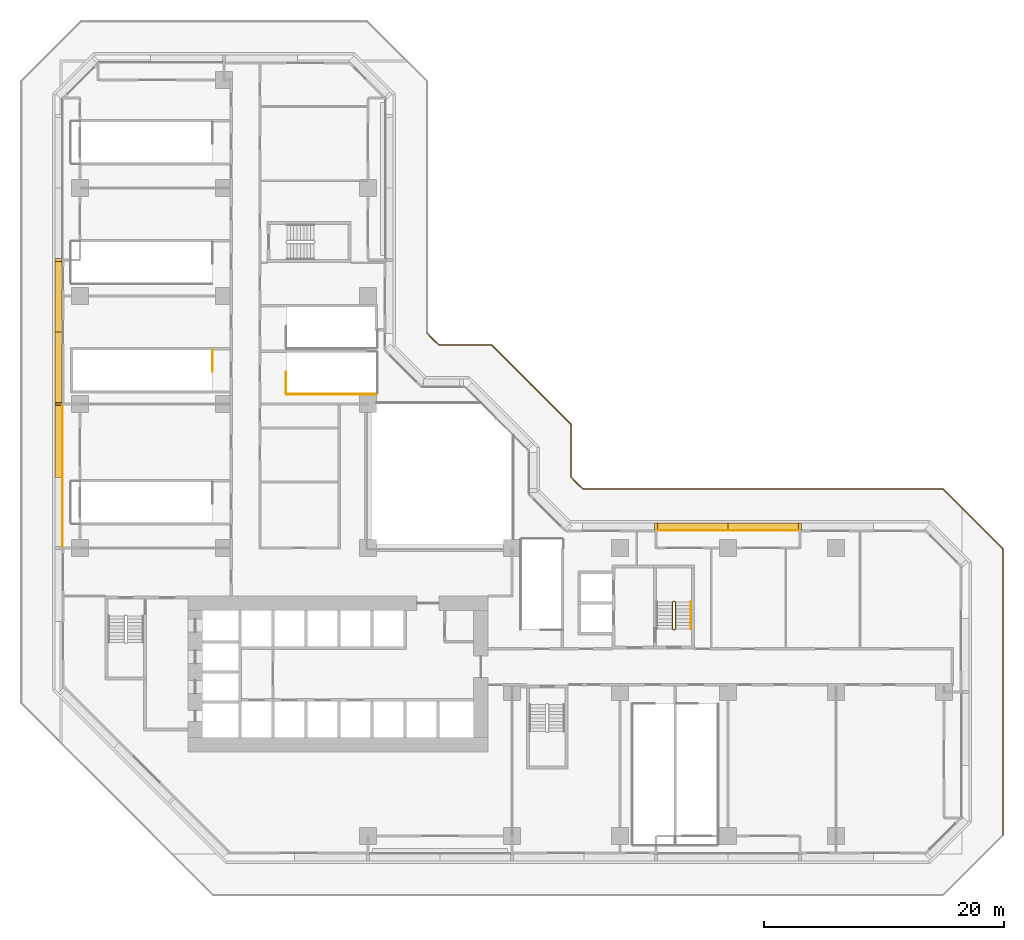
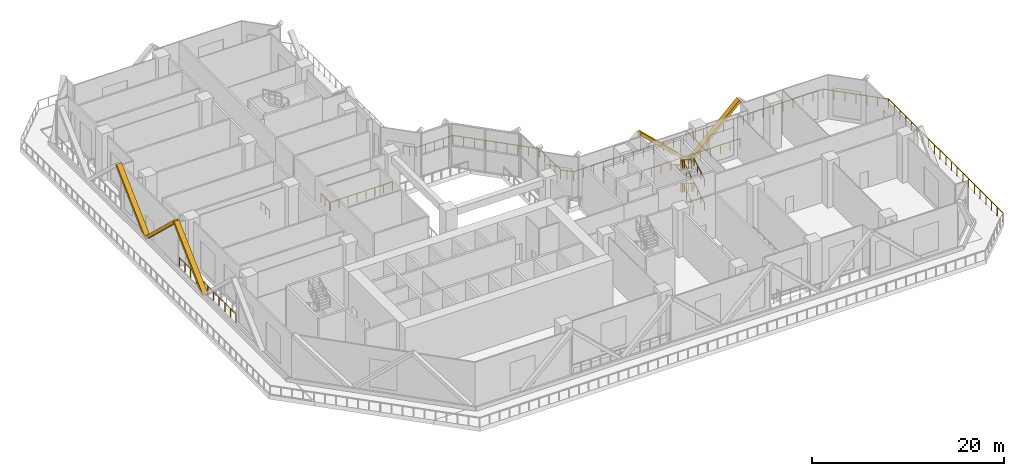
# One storey, part 13 of 16: 9 railings, 5 coverings.
"""IFC4 building model written with IfcOpenShell, lengths in metres."""

from ifc_helpers import new_model, si_unit, direction, frame, origin, origin_2d, place, context, subcontext, project, spatial, rectangle, extrude, material, material_profile, profile_set, type_object, element, save


model = new_model("IFC4")

# Units and contexts
model_context = context("Model", 3, precision=1e-05, world=origin(), true_north=direction((0.0, 1.0)))
body_context = subcontext(model_context, "Body", "Model", "MODEL_VIEW")
ifc_project = project(units=[si_unit("LENGTHUNIT", "METRE"), si_unit("AREAUNIT", "SQUARE_METRE"), si_unit("VOLUMEUNIT", "CUBIC_METRE"), si_unit("PLANEANGLEUNIT", "RADIAN"), si_unit("MASSUNIT", "GRAM", prefix="KILO")], contexts=[model_context])

# Site, building, storey
site_placement = place(None, origin())
site = spatial("IfcSite", under=ifc_project, at=site_placement, CompositionType="ELEMENT")
building_placement = place(site_placement, origin())
building = spatial("IfcBuilding", under=site, at=building_placement, Name="Chenar Terraces", CompositionType="ELEMENT")
storey_placement = place(building_placement, frame((0.0, 0.0, 35.39990234375)))
storey = spatial("IfcBuildingStorey", under=building, at=storey_placement, Name="L06", CompositionType="ELEMENT", Elevation=35.39990234375)

# Railings
ifc_material_1 = material(Name="Stainless steel and glass", Category="steel")
railing_type_1 = type_object("IfcRailingType", Name="Loggia guard 1150", PredefinedType="GUARDRAIL", material=ifc_material_1)
railing_1_placement = place(storey_placement, frame((59.925048828125, 25.449951171875, 0.0)))
element("IfcRailing", 1, at=railing_1_placement, inside=storey, type_object=railing_type_1, Name="Loggia guard", PredefinedType="GUARDRAIL", context=body_context, shape_type="SweptSolid", body=[
    extrude(rectangle(XDim=0.048095703125, YDim=0.048095703125, at=origin_2d()), frame((0.0, 0.0, 1.1259765625), z_axis=(-1.0, 0.0, 0.0), x_axis=(0.0, -1.0, 0.0)), (0.0, 0.0, 1.0), 11.85009765625),
    extrude(rectangle(XDim=0.0419921875, YDim=0.0419921875, at=origin_2d()), origin(), (0.0, 0.0, 1.0), 1.101806640625),
    extrude(rectangle(XDim=0.0419921875, YDim=0.0419921875, at=origin_2d()), frame((-1.18505859375, 0.0, 0.0)), (0.0, 0.0, 1.0), 1.101806640625),
    extrude(rectangle(XDim=0.0419921875, YDim=0.0419921875, at=origin_2d()), frame((-2.3701171875, 0.0, 0.0)), (0.0, 0.0, 1.0), 1.101806640625),
    extrude(rectangle(XDim=0.0419921875, YDim=0.0419921875, at=origin_2d()), frame((-3.554931640625, 0.0, 0.0)), (0.0, 0.0, 1.0), 1.101806640625),
    extrude(rectangle(XDim=0.0419921875, YDim=0.0419921875, at=origin_2d()), frame((-4.739990234375, 0.0, 0.0)), (0.0, 0.0, 1.0), 1.101806640625),
    extrude(rectangle(XDim=0.0419921875, YDim=0.0419921875, at=origin_2d()), frame((-5.925048828125, 0.0, 0.0)), (0.0, 0.0, 1.0), 1.101806640625),
    extrude(rectangle(XDim=0.0419921875, YDim=0.0419921875, at=origin_2d()), frame((-7.110107421875, 0.0, 0.0)), (0.0, 0.0, 1.0), 1.101806640625),
    extrude(rectangle(XDim=0.0419921875, YDim=0.0419921875, at=origin_2d()), frame((-8.295166015625, 0.0, 0.0)), (0.0, 0.0, 1.0), 1.101806640625),
    extrude(rectangle(XDim=0.0419921875, YDim=0.0419921875, at=origin_2d()), frame((-9.47998046875, 0.0, 0.0)), (0.0, 0.0, 1.0), 1.101806640625),
    extrude(rectangle(XDim=0.0419921875, YDim=0.0419921875, at=origin_2d()), frame((-10.6650390625, 0.0, 0.0)), (0.0, 0.0, 1.0), 1.101806640625),
    extrude(rectangle(XDim=0.0419921875, YDim=0.0419921875, at=origin_2d()), frame((-11.85009765625, 0.0, 0.0)), (0.0, 0.0, 1.0), 1.101806640625),
])
railing_2_placement = place(storey_placement, frame((-1.449951171875, 35.925048828125, 0.0)))
element("IfcRailing", 2, at=railing_2_placement, inside=storey, type_object=railing_type_1, Name="Loggia guard", PredefinedType="GUARDRAIL", context=body_context, shape_type="SweptSolid", body=[
    extrude(rectangle(XDim=0.048095703125, YDim=0.048095703125, at=origin_2d()), frame((0.0, 0.0, 1.1259765625), z_axis=(0.0, -1.0, 0.0), x_axis=(1.0, 0.0, 0.0)), (0.0, 0.0, 1.0), 11.85009765625),
    extrude(rectangle(XDim=0.0419921875, YDim=0.0419921875, at=origin_2d()), origin(), (0.0, 0.0, 1.0), 1.101806640625),
    extrude(rectangle(XDim=0.0419921875, YDim=0.0419921875, at=origin_2d()), frame((0.0, -1.18505859375, 0.0)), (0.0, 0.0, 1.0), 1.101806640625),
    extrude(rectangle(XDim=0.0419921875, YDim=0.0419921875, at=origin_2d()), frame((0.0, -2.3701171875, 0.0)), (0.0, 0.0, 1.0), 1.101806640625),
    extrude(rectangle(XDim=0.0419921875, YDim=0.0419921875, at=origin_2d()), frame((0.0, -3.554931640625, 0.0)), (0.0, 0.0, 1.0), 1.101806640625),
    extrude(rectangle(XDim=0.0419921875, YDim=0.0419921875, at=origin_2d()), frame((0.0, -4.739990234375, 0.0)), (0.0, 0.0, 1.0), 1.101806640625),
    extrude(rectangle(XDim=0.0419921875, YDim=0.0419921875, at=origin_2d()), frame((0.0, -5.925048828125, 0.0)), (0.0, 0.0, 1.0), 1.101806640625),
    extrude(rectangle(XDim=0.0419921875, YDim=0.0419921875, at=origin_2d()), frame((0.0, -7.110107421875, 0.0)), (0.0, 0.0, 1.0), 1.101806640625),
    extrude(rectangle(XDim=0.0419921875, YDim=0.0419921875, at=origin_2d()), frame((0.0, -8.295166015625, 0.0)), (0.0, 0.0, 1.0), 1.101806640625),
    extrude(rectangle(XDim=0.0419921875, YDim=0.0419921875, at=origin_2d()), frame((0.0, -9.47998046875, 0.0)), (0.0, 0.0, 1.0), 1.101806640625),
    extrude(rectangle(XDim=0.0419921875, YDim=0.0419921875, at=origin_2d()), frame((0.0, -10.6650390625, 0.0)), (0.0, 0.0, 1.0), 1.101806640625),
    extrude(rectangle(XDim=0.0419921875, YDim=0.0419921875, at=origin_2d()), frame((0.0, -11.85009765625, 0.0)), (0.0, 0.0, 1.0), 1.101806640625),
])
ifc_material_2 = material(Name="Powder-coated steel", Category="steel")
railing_type_2 = type_object("IfcRailingType", Name="Stair guard 1100", PredefinedType="GUARDRAIL", material=ifc_material_2)
railing_3_placement = place(storey_placement, frame((49.375, 17.25, 6.0)))
element("IfcRailing", 3, at=railing_3_placement, inside=storey, type_object=railing_type_2, Name="L06 ST3 stair guard 1", PredefinedType="GUARDRAIL", context=body_context, shape_type="SweptSolid", body=[
    extrude(rectangle(XDim=0.048095703125, YDim=0.048095703125, at=origin_2d()), frame((0.0, 0.0, 1.076171875), z_axis=(0.0, 0.859305625298, -0.511462454469), x_axis=(-1.0, 0.0, 0.0)), (0.0, 0.0, 1.0), 2.606689453125),
    extrude(rectangle(XDim=0.048095703125, YDim=0.048095703125, at=origin_2d()), frame((0.0, 2.239990234375, -0.25732421875), z_axis=(0.27628659633, 0.27628659633, -0.920506074601), x_axis=(-0.707106781187, 0.707106781187, 0.0)), (0.0, 0.0, 1.0), 0.18115234375),
    extrude(rectangle(XDim=0.048095703125, YDim=0.048095703125, at=origin_2d()), frame((0.050048828125, 2.2900390625, -0.423828125), z_axis=(1.0, 0.0, 0.0), x_axis=(0.0, 1.0, 0.0)), (0.0, 0.0, 1.0), 0.14990234375),
    extrude(rectangle(XDim=0.048095703125, YDim=0.048095703125, at=origin_2d()), frame((0.199951171875, 2.2900390625, -0.423828125), z_axis=(0.707106781187, -0.707106781187, 0.0), x_axis=(0.707106781187, 0.707106781187, 0.0)), (0.0, 0.0, 1.0), 0.07080078125),
    extrude(rectangle(XDim=0.048095703125, YDim=0.048095703125, at=origin_2d()), frame((0.25, 2.239990234375, -0.423828125), z_axis=(0.0, -0.859305625298, -0.511462454469), x_axis=(1.0, 0.0, 0.0)), (0.0, 0.0, 1.0), 2.606689453125),
    extrude(rectangle(XDim=0.048095703125, YDim=0.048095703125, at=origin_2d()), frame((0.25, 0.0, -1.75732421875), z_axis=(-0.754182335027, -0.188775798145, -0.628945707965), x_axis=(0.242814311512, -0.970072785993, 0.0)), (0.0, 0.0, 1.0), 0.26513671875),
    extrude(rectangle(XDim=0.048095703125, YDim=0.048095703125, at=origin_2d()), frame((0.050048828125, -0.050048828125, -1.923828125), z_axis=(1.0, 0.0, 0.0), x_axis=(0.0, 1.0, 0.0)), (0.0, 0.0, 1.0), 0.14990234375),
    extrude(rectangle(XDim=0.048095703125, YDim=0.048095703125, at=origin_2d()), frame((0.199951171875, -0.050048828125, -1.923828125), z_axis=(-0.970072785993, 0.242814311512, 0.0), x_axis=(-0.242814311512, -0.970072785993, 0.0)), (0.0, 0.0, 1.0), 0.2060546875),
    extrude(rectangle(XDim=0.048095703125, YDim=0.048095703125, at=origin_2d()), frame((0.0, 0.0, -1.923828125), z_axis=(0.0, 0.859305625298, -0.511462454469), x_axis=(-1.0, 0.0, 0.0)), (0.0, 0.0, 1.0), 2.606689453125),
    extrude(rectangle(XDim=0.048095703125, YDim=0.048095703125, at=origin_2d()), frame((0.0, 2.239990234375, -3.25732421875), z_axis=(0.27628659633, 0.27628659633, -0.920506074601), x_axis=(-0.707106781187, 0.707106781187, 0.0)), (0.0, 0.0, 1.0), 0.18115234375),
    extrude(rectangle(XDim=0.048095703125, YDim=0.048095703125, at=origin_2d()), frame((0.050048828125, 2.2900390625, -3.423828125), z_axis=(1.0, 0.0, 0.0), x_axis=(0.0, 1.0, 0.0)), (0.0, 0.0, 1.0), 0.14990234375),
    extrude(rectangle(XDim=0.048095703125, YDim=0.048095703125, at=origin_2d()), frame((0.199951171875, 2.2900390625, -3.423828125), z_axis=(0.707106781187, -0.707106781187, 0.0), x_axis=(0.707106781187, 0.707106781187, 0.0)), (0.0, 0.0, 1.0), 0.07080078125),
    extrude(rectangle(XDim=0.048095703125, YDim=0.048095703125, at=origin_2d()), frame((0.25, 2.239990234375, -3.423828125), z_axis=(0.0, -0.859305625298, -0.511462454469), x_axis=(1.0, 0.0, 0.0)), (0.0, 0.0, 1.0), 2.606689453125),
    extrude(rectangle(XDim=0.048095703125, YDim=0.048095703125, at=origin_2d()), frame((0.25, 0.0, -4.75732421875), z_axis=(-0.27628659633, -0.27628659633, -0.920506074601), x_axis=(0.707106781187, -0.707106781187, 0.0)), (0.0, 0.0, 1.0), 0.18115234375),
    extrude(rectangle(XDim=0.048095703125, YDim=0.048095703125, at=origin_2d()), frame((0.199951171875, -0.050048828125, -4.923828125), z_axis=(-1.0, 0.0, 0.0), x_axis=(0.0, -1.0, 0.0)), (0.0, 0.0, 1.0), 0.14990234375),
    extrude(rectangle(XDim=0.0419921875, YDim=0.0419921875, at=origin_2d()), origin(), (0.0, 0.0, 1.0), 1.052001953125),
    extrude(rectangle(XDim=0.0419921875, YDim=0.0419921875, at=origin_2d()), frame((0.0, 0.74658203125, -0.4443359375)), (0.0, 0.0, 1.0), 1.052001953125),
    extrude(rectangle(XDim=0.0419921875, YDim=0.0419921875, at=origin_2d()), frame((0.0, 1.493408203125, -0.888916015625)), (0.0, 0.0, 1.0), 1.052001953125),
    extrude(rectangle(XDim=0.0419921875, YDim=0.0419921875, at=origin_2d()), frame((0.0, 2.239990234375, -1.333251953125)), (0.0, 0.0, 1.0), 1.052001953125),
    extrude(rectangle(XDim=0.0419921875, YDim=0.0419921875, at=origin_2d()), frame((0.050048828125, 2.2900390625, -1.5)), (0.0, 0.0, 1.0), 1.052001953125),
    extrude(rectangle(XDim=0.0419921875, YDim=0.0419921875, at=origin_2d()), frame((0.199951171875, 2.2900390625, -1.5)), (0.0, 0.0, 1.0), 1.052001953125),
    extrude(rectangle(XDim=0.0419921875, YDim=0.0419921875, at=origin_2d()), frame((0.25, 2.239990234375, -1.5)), (0.0, 0.0, 1.0), 1.052001953125),
    extrude(rectangle(XDim=0.0419921875, YDim=0.0419921875, at=origin_2d()), frame((0.25, 1.493408203125, -1.9443359375)), (0.0, 0.0, 1.0), 1.052001953125),
    extrude(rectangle(XDim=0.0419921875, YDim=0.0419921875, at=origin_2d()), frame((0.25, 0.74658203125, -2.388916015625)), (0.0, 0.0, 1.0), 1.052001953125),
    extrude(rectangle(XDim=0.0419921875, YDim=0.0419921875, at=origin_2d()), frame((0.25, 0.0, -2.833251953125)), (0.0, 0.0, 1.0), 1.052001953125),
    extrude(rectangle(XDim=0.0419921875, YDim=0.0419921875, at=origin_2d()), frame((0.050048828125, -0.050048828125, -3.0)), (0.0, 0.0, 1.0), 1.052001953125),
    extrude(rectangle(XDim=0.0419921875, YDim=0.0419921875, at=origin_2d()), frame((0.199951171875, -0.050048828125, -3.0)), (0.0, 0.0, 1.0), 1.052001953125),
    extrude(rectangle(XDim=0.0419921875, YDim=0.0419921875, at=origin_2d()), frame((0.0, 0.0, -3.0)), (0.0, 0.0, 1.0), 1.052001953125),
    extrude(rectangle(XDim=0.0419921875, YDim=0.0419921875, at=origin_2d()), frame((0.0, 0.74658203125, -3.4443359375)), (0.0, 0.0, 1.0), 1.052001953125),
    extrude(rectangle(XDim=0.0419921875, YDim=0.0419921875, at=origin_2d()), frame((0.0, 1.493408203125, -3.888916015625)), (0.0, 0.0, 1.0), 1.052001953125),
    extrude(rectangle(XDim=0.0419921875, YDim=0.0419921875, at=origin_2d()), frame((0.0, 2.239990234375, -4.333251953125)), (0.0, 0.0, 1.0), 1.052001953125),
    extrude(rectangle(XDim=0.0419921875, YDim=0.0419921875, at=origin_2d()), frame((0.050048828125, 2.2900390625, -4.5)), (0.0, 0.0, 1.0), 1.052001953125),
    extrude(rectangle(XDim=0.0419921875, YDim=0.0419921875, at=origin_2d()), frame((0.199951171875, 2.2900390625, -4.5)), (0.0, 0.0, 1.0), 1.052001953125),
    extrude(rectangle(XDim=0.0419921875, YDim=0.0419921875, at=origin_2d()), frame((0.25, 2.239990234375, -4.5)), (0.0, 0.0, 1.0), 1.052001953125),
    extrude(rectangle(XDim=0.0419921875, YDim=0.0419921875, at=origin_2d()), frame((0.25, 1.493408203125, -4.9443359375)), (0.0, 0.0, 1.0), 1.052001953125),
    extrude(rectangle(XDim=0.0419921875, YDim=0.0419921875, at=origin_2d()), frame((0.25, 0.74658203125, -5.388916015625)), (0.0, 0.0, 1.0), 1.052001953125),
    extrude(rectangle(XDim=0.0419921875, YDim=0.0419921875, at=origin_2d()), frame((0.25, 0.0, -5.833251953125)), (0.0, 0.0, 1.0), 1.052001953125),
    extrude(rectangle(XDim=0.0419921875, YDim=0.0419921875, at=origin_2d()), frame((0.199951171875, -0.050048828125, -6.0)), (0.0, 0.0, 1.0), 1.052001953125),
    extrude(rectangle(XDim=0.0419921875, YDim=0.0419921875, at=origin_2d()), frame((0.050048828125, -0.050048828125, -6.0)), (0.0, 0.0, 1.0), 1.052001953125),
])
railing_4_placement = place(storey_placement, frame((17.1650390625, 38.675048828125, 0.0)))
element("IfcRailing", 4, at=railing_4_placement, inside=storey, type_object=railing_type_2, Name="L06 PS7 top well guard 1", PredefinedType="GUARDRAIL", context=body_context, shape_type="SweptSolid", body=[
    extrude(rectangle(XDim=0.048095703125, YDim=0.048095703125, at=origin_2d()), frame((0.0, 0.0, 1.076171875), z_axis=(0.0, -1.0, 0.0), x_axis=(1.0, 0.0, 0.0)), (0.0, 0.0, 1.0), 1.76513671875),
    extrude(rectangle(XDim=0.0419921875, YDim=0.0419921875, at=origin_2d()), origin(), (0.0, 0.0, 1.0), 1.052001953125),
    extrude(rectangle(XDim=0.0419921875, YDim=0.0419921875, at=origin_2d()), frame((0.0, -0.882568359375, 0.0)), (0.0, 0.0, 1.0), 1.052001953125),
    extrude(rectangle(XDim=0.0419921875, YDim=0.0419921875, at=origin_2d()), frame((0.0, -1.76513671875, 0.0)), (0.0, 0.0, 1.0), 1.052001953125),
])
railing_5_placement = place(storey_placement, frame((11.034912109375, 38.72509765625, 0.0)))
element("IfcRailing", 5, at=railing_5_placement, inside=storey, type_object=railing_type_2, Name="L06 PS9 top well guard 1", PredefinedType="GUARDRAIL", context=body_context, shape_type="SweptSolid", body=[
    extrude(rectangle(XDim=0.048095703125, YDim=0.048095703125, at=origin_2d()), frame((0.0, 0.0, 1.076171875), z_axis=(0.0, 1.0, 0.0), x_axis=(-1.0, 0.0, 0.0)), (0.0, 0.0, 1.0), 1.764892578125),
    extrude(rectangle(XDim=0.0419921875, YDim=0.0419921875, at=origin_2d()), origin(), (0.0, 0.0, 1.0), 1.052001953125),
    extrude(rectangle(XDim=0.0419921875, YDim=0.0419921875, at=origin_2d()), frame((0.0, 0.88232421875, 0.0)), (0.0, 0.0, 1.0), 1.052001953125),
    extrude(rectangle(XDim=0.0419921875, YDim=0.0419921875, at=origin_2d()), frame((0.0, 1.764892578125, 0.0)), (0.0, 0.0, 1.0), 1.052001953125),
])
railing_6_placement = place(storey_placement, frame((17.215087890625, 36.81005859375, 0.0)))
element("IfcRailing", 6, at=railing_6_placement, inside=storey, type_object=railing_type_2, Name="L06 PS7 stair guard 101", PredefinedType="GUARDRAIL", context=body_context, shape_type="SweptSolid", body=[
    extrude(rectangle(XDim=0.048095703125, YDim=0.048095703125, at=origin_2d()), frame((0.0, 0.0, 1.076171875), z_axis=(1.0, 0.0, 0.0), x_axis=(0.0, 1.0, 0.0)), (0.0, 0.0, 1.0), 7.48486328125),
    extrude(rectangle(XDim=0.0419921875, YDim=0.0419921875, at=origin_2d()), origin(), (0.0, 0.0, 1.0), 1.052001953125),
    extrude(rectangle(XDim=0.0419921875, YDim=0.0419921875, at=origin_2d()), frame((1.0693359375, 0.0, 0.0)), (0.0, 0.0, 1.0), 1.052001953125),
    extrude(rectangle(XDim=0.0419921875, YDim=0.0419921875, at=origin_2d()), frame((2.138427734375, 0.0, 0.0)), (0.0, 0.0, 1.0), 1.052001953125),
    extrude(rectangle(XDim=0.0419921875, YDim=0.0419921875, at=origin_2d()), frame((3.207763671875, 0.0, 0.0)), (0.0, 0.0, 1.0), 1.052001953125),
    extrude(rectangle(XDim=0.0419921875, YDim=0.0419921875, at=origin_2d()), frame((4.277099609375, 0.0, 0.0)), (0.0, 0.0, 1.0), 1.052001953125),
    extrude(rectangle(XDim=0.0419921875, YDim=0.0419921875, at=origin_2d()), frame((5.346435546875, 0.0, 0.0)), (0.0, 0.0, 1.0), 1.052001953125),
    extrude(rectangle(XDim=0.0419921875, YDim=0.0419921875, at=origin_2d()), frame((6.41552734375, 0.0, 0.0)), (0.0, 0.0, 1.0), 1.052001953125),
    extrude(rectangle(XDim=0.0419921875, YDim=0.0419921875, at=origin_2d()), frame((7.48486328125, 0.0, 0.0)), (0.0, 0.0, 1.0), 1.052001953125),
])
ifc_material_3 = material(Name="Powder-coated steel", Category="steel")
railing_type_3 = type_object("IfcRailingType", Name="Stair handrail 900", PredefinedType="HANDRAIL", material=ifc_material_3)
for number, where, name in (
    (7, (50.925048828125, 17.25, 0.166748046875), "L06 ST3 stair handrail 1"),
    (8, (50.925048828125, 17.25, 3.166748046875), "L06 ST3 stair handrail 3"),
):
    element("IfcRailing", number, at=place(storey_placement, frame(where)), inside=storey, type_object=railing_type_3, Name=name, PredefinedType="HANDRAIL", context=body_context, shape_type="SweptSolid", body=[
        extrude(rectangle(XDim=0.048095703125, YDim=0.048095703125, at=origin_2d()), frame((0.0, 0.0, 0.8759765625), z_axis=(0.0, 0.859305625298, 0.511462454469), x_axis=(-1.0, 0.0, 0.0)), (0.0, 0.0, 1.0), 2.606689453125),
        extrude(rectangle(XDim=0.0419921875, YDim=0.0419921875, at=origin_2d()), origin(), (0.0, 0.0, 1.0), 0.851806640625),
        extrude(rectangle(XDim=0.0419921875, YDim=0.0419921875, at=origin_2d()), frame((0.0, 0.74658203125, 0.4443359375)), (0.0, 0.0, 1.0), 0.851806640625),
        extrude(rectangle(XDim=0.0419921875, YDim=0.0419921875, at=origin_2d()), frame((0.0, 1.493408203125, 0.888916015625)), (0.0, 0.0, 1.0), 0.851806640625),
        extrude(rectangle(XDim=0.0419921875, YDim=0.0419921875, at=origin_2d()), frame((0.0, 2.239990234375, 1.333251953125)), (0.0, 0.0, 1.0), 0.851806640625),
    ])
ifc_material_4 = material(Name="Stainless steel and glass", Category="steel")
railing_type_4 = type_object("IfcRailingType", Name="Terrace guard 1150", PredefinedType="GUARDRAIL", material=ifc_material_4)
railing_7_placement = place(storey_placement, frame((28.89990234375, 41.908447265625, 0.0)))
element("IfcRailing", 9, at=railing_7_placement, inside=storey, type_object=railing_type_4, Name="Terrace guard", PredefinedType="GUARDRAIL", context=body_context, shape_type="SweptSolid", body=[
    extrude(rectangle(XDim=0.048095703125, YDim=0.048095703125, at=origin_2d()), frame((0.0, 0.0, 1.1259765625), z_axis=(0.707106781187, -0.707106781187, 0.0), x_axis=(0.707106781187, 0.707106781187, 0.0)), (0.0, 0.0, 1.0), 1.42626953125),
    extrude(rectangle(XDim=0.048095703125, YDim=0.048095703125, at=origin_2d()), frame((1.008544921875, -1.008544921875, 1.1259765625), z_axis=(1.0, 0.0, 0.0), x_axis=(0.0, 1.0, 0.0)), (0.0, 0.0, 1.0), 4.39990234375),
    extrude(rectangle(XDim=0.048095703125, YDim=0.048095703125, at=origin_2d()), frame((5.408447265625, -1.008544921875, 1.1259765625), z_axis=(0.707106781187, -0.707106781187, 0.0), x_axis=(0.707106781187, 0.707106781187, 0.0)), (0.0, 0.0, 1.0), 9.32177734375),
    extrude(rectangle(XDim=0.048095703125, YDim=0.048095703125, at=origin_2d()), frame((12.0, -7.60009765625, 1.1259765625), z_axis=(0.0, -1.0, 0.0), x_axis=(1.0, 0.0, 0.0)), (0.0, 0.0, 1.0), 4.39990234375),
    extrude(rectangle(XDim=0.048095703125, YDim=0.048095703125, at=origin_2d()), frame((12.0, -12.0, 1.1259765625), z_axis=(0.707106781187, -0.707106781187, 0.0), x_axis=(0.707106781187, 0.707106781187, 0.0)), (0.0, 0.0, 1.0), 1.42626953125),
    extrude(rectangle(XDim=0.048095703125, YDim=0.048095703125, at=origin_2d()), frame((13.008544921875, -13.008544921875, 1.1259765625), z_axis=(1.0, 0.0, 0.0), x_axis=(0.0, 1.0, 0.0)), (0.0, 0.0, 1.0), 30.0),
    extrude(rectangle(XDim=0.048095703125, YDim=0.048095703125, at=origin_2d()), frame((43.008544921875, -13.008544921875, 1.1259765625), z_axis=(0.707106781187, -0.707106781187, 0.0), x_axis=(0.707106781187, 0.707106781187, 0.0)), (0.0, 0.0, 1.0), 7.05908203125),
    extrude(rectangle(XDim=0.048095703125, YDim=0.048095703125, at=origin_2d()), frame((48.0, -18.0, 1.1259765625), z_axis=(0.0, -1.0, 0.0), x_axis=(1.0, 0.0, 0.0)), (0.0, 0.0, 1.0), 23.81689453125),
    extrude(rectangle(XDim=0.0419921875, YDim=0.0419921875, at=origin_2d()), origin(), (0.0, 0.0, 1.0), 1.101806640625),
    extrude(rectangle(XDim=0.0419921875, YDim=0.0419921875, at=origin_2d()), frame((0.50439453125, -0.50439453125, 0.0)), (0.0, 0.0, 1.0), 1.101806640625),
    extrude(rectangle(XDim=0.0419921875, YDim=0.0419921875, at=origin_2d()), frame((1.008544921875, -1.008544921875, 0.0)), (0.0, 0.0, 1.0), 1.101806640625),
    extrude(rectangle(XDim=0.0419921875, YDim=0.0419921875, at=origin_2d()), frame((2.1083984375, -1.008544921875, 0.0)), (0.0, 0.0, 1.0), 1.101806640625),
    extrude(rectangle(XDim=0.0419921875, YDim=0.0419921875, at=origin_2d()), frame((3.20849609375, -1.008544921875, 0.0)), (0.0, 0.0, 1.0), 1.101806640625),
    extrude(rectangle(XDim=0.0419921875, YDim=0.0419921875, at=origin_2d()), frame((4.30859375, -1.008544921875, 0.0)), (0.0, 0.0, 1.0), 1.101806640625),
    extrude(rectangle(XDim=0.0419921875, YDim=0.0419921875, at=origin_2d()), frame((5.408447265625, -1.008544921875, 0.0)), (0.0, 0.0, 1.0), 1.101806640625),
    extrude(rectangle(XDim=0.0419921875, YDim=0.0419921875, at=origin_2d()), frame((6.232421875, -1.83251953125, 0.0)), (0.0, 0.0, 1.0), 1.101806640625),
    extrude(rectangle(XDim=0.0419921875, YDim=0.0419921875, at=origin_2d()), frame((7.056396484375, -2.656494140625, 0.0)), (0.0, 0.0, 1.0), 1.101806640625),
    extrude(rectangle(XDim=0.0419921875, YDim=0.0419921875, at=origin_2d()), frame((7.88037109375, -3.48046875, 0.0)), (0.0, 0.0, 1.0), 1.101806640625),
    extrude(rectangle(XDim=0.0419921875, YDim=0.0419921875, at=origin_2d()), frame((8.7041015625, -4.30419921875, 0.0)), (0.0, 0.0, 1.0), 1.101806640625),
    extrude(rectangle(XDim=0.0419921875, YDim=0.0419921875, at=origin_2d()), frame((9.528076171875, -5.128173828125, 0.0)), (0.0, 0.0, 1.0), 1.101806640625),
    extrude(rectangle(XDim=0.0419921875, YDim=0.0419921875, at=origin_2d()), frame((10.35205078125, -5.9521484375, 0.0)), (0.0, 0.0, 1.0), 1.101806640625),
    extrude(rectangle(XDim=0.0419921875, YDim=0.0419921875, at=origin_2d()), frame((11.176025390625, -6.776123046875, 0.0)), (0.0, 0.0, 1.0), 1.101806640625),
    extrude(rectangle(XDim=0.0419921875, YDim=0.0419921875, at=origin_2d()), frame((12.0, -7.60009765625, 0.0)), (0.0, 0.0, 1.0), 1.101806640625),
    extrude(rectangle(XDim=0.0419921875, YDim=0.0419921875, at=origin_2d()), frame((12.0, -8.7001953125, 0.0)), (0.0, 0.0, 1.0), 1.101806640625),
    extrude(rectangle(XDim=0.0419921875, YDim=0.0419921875, at=origin_2d()), frame((12.0, -9.800048828125, 0.0)), (0.0, 0.0, 1.0), 1.101806640625),
    extrude(rectangle(XDim=0.0419921875, YDim=0.0419921875, at=origin_2d()), frame((12.0, -10.89990234375, 0.0)), (0.0, 0.0, 1.0), 1.101806640625),
    extrude(rectangle(XDim=0.0419921875, YDim=0.0419921875, at=origin_2d()), frame((12.0, -12.0, 0.0)), (0.0, 0.0, 1.0), 1.101806640625),
    extrude(rectangle(XDim=0.0419921875, YDim=0.0419921875, at=origin_2d()), frame((12.50439453125, -12.50439453125, 0.0)), (0.0, 0.0, 1.0), 1.101806640625),
    extrude(rectangle(XDim=0.0419921875, YDim=0.0419921875, at=origin_2d()), frame((13.008544921875, -13.008544921875, 0.0)), (0.0, 0.0, 1.0), 1.101806640625),
    extrude(rectangle(XDim=0.0419921875, YDim=0.0419921875, at=origin_2d()), frame((14.20849609375, -13.008544921875, 0.0)), (0.0, 0.0, 1.0), 1.101806640625),
    extrude(rectangle(XDim=0.0419921875, YDim=0.0419921875, at=origin_2d()), frame((15.408447265625, -13.008544921875, 0.0)), (0.0, 0.0, 1.0), 1.101806640625),
    extrude(rectangle(XDim=0.0419921875, YDim=0.0419921875, at=origin_2d()), frame((16.608642578125, -13.008544921875, 0.0)), (0.0, 0.0, 1.0), 1.101806640625),
    extrude(rectangle(XDim=0.0419921875, YDim=0.0419921875, at=origin_2d()), frame((17.80859375, -13.008544921875, 0.0)), (0.0, 0.0, 1.0), 1.101806640625),
    extrude(rectangle(XDim=0.0419921875, YDim=0.0419921875, at=origin_2d()), frame((19.008544921875, -13.008544921875, 0.0)), (0.0, 0.0, 1.0), 1.101806640625),
    extrude(rectangle(XDim=0.0419921875, YDim=0.0419921875, at=origin_2d()), frame((20.20849609375, -13.008544921875, 0.0)), (0.0, 0.0, 1.0), 1.101806640625),
    extrude(rectangle(XDim=0.0419921875, YDim=0.0419921875, at=origin_2d()), frame((21.408447265625, -13.008544921875, 0.0)), (0.0, 0.0, 1.0), 1.101806640625),
    extrude(rectangle(XDim=0.0419921875, YDim=0.0419921875, at=origin_2d()), frame((22.608642578125, -13.008544921875, 0.0)), (0.0, 0.0, 1.0), 1.101806640625),
    extrude(rectangle(XDim=0.0419921875, YDim=0.0419921875, at=origin_2d()), frame((23.80859375, -13.008544921875, 0.0)), (0.0, 0.0, 1.0), 1.101806640625),
    extrude(rectangle(XDim=0.0419921875, YDim=0.0419921875, at=origin_2d()), frame((25.008544921875, -13.008544921875, 0.0)), (0.0, 0.0, 1.0), 1.101806640625),
    extrude(rectangle(XDim=0.0419921875, YDim=0.0419921875, at=origin_2d()), frame((26.20849609375, -13.008544921875, 0.0)), (0.0, 0.0, 1.0), 1.101806640625),
    extrude(rectangle(XDim=0.0419921875, YDim=0.0419921875, at=origin_2d()), frame((27.408447265625, -13.008544921875, 0.0)), (0.0, 0.0, 1.0), 1.101806640625),
    extrude(rectangle(XDim=0.0419921875, YDim=0.0419921875, at=origin_2d()), frame((28.608642578125, -13.008544921875, 0.0)), (0.0, 0.0, 1.0), 1.101806640625),
    extrude(rectangle(XDim=0.0419921875, YDim=0.0419921875, at=origin_2d()), frame((29.80859375, -13.008544921875, 0.0)), (0.0, 0.0, 1.0), 1.101806640625),
    extrude(rectangle(XDim=0.0419921875, YDim=0.0419921875, at=origin_2d()), frame((31.008544921875, -13.008544921875, 0.0)), (0.0, 0.0, 1.0), 1.101806640625),
    extrude(rectangle(XDim=0.0419921875, YDim=0.0419921875, at=origin_2d()), frame((32.20849609375, -13.008544921875, 0.0)), (0.0, 0.0, 1.0), 1.101806640625),
    extrude(rectangle(XDim=0.0419921875, YDim=0.0419921875, at=origin_2d()), frame((33.408447265625, -13.008544921875, 0.0)), (0.0, 0.0, 1.0), 1.101806640625),
    extrude(rectangle(XDim=0.0419921875, YDim=0.0419921875, at=origin_2d()), frame((34.608642578125, -13.008544921875, 0.0)), (0.0, 0.0, 1.0), 1.101806640625),
    extrude(rectangle(XDim=0.0419921875, YDim=0.0419921875, at=origin_2d()), frame((35.80859375, -13.008544921875, 0.0)), (0.0, 0.0, 1.0), 1.101806640625),
    extrude(rectangle(XDim=0.0419921875, YDim=0.0419921875, at=origin_2d()), frame((37.008544921875, -13.008544921875, 0.0)), (0.0, 0.0, 1.0), 1.101806640625),
    extrude(rectangle(XDim=0.0419921875, YDim=0.0419921875, at=origin_2d()), frame((38.20849609375, -13.008544921875, 0.0)), (0.0, 0.0, 1.0), 1.101806640625),
    extrude(rectangle(XDim=0.0419921875, YDim=0.0419921875, at=origin_2d()), frame((39.408447265625, -13.008544921875, 0.0)), (0.0, 0.0, 1.0), 1.101806640625),
    extrude(rectangle(XDim=0.0419921875, YDim=0.0419921875, at=origin_2d()), frame((40.608642578125, -13.008544921875, 0.0)), (0.0, 0.0, 1.0), 1.101806640625),
    extrude(rectangle(XDim=0.0419921875, YDim=0.0419921875, at=origin_2d()), frame((41.80859375, -13.008544921875, 0.0)), (0.0, 0.0, 1.0), 1.101806640625),
    extrude(rectangle(XDim=0.0419921875, YDim=0.0419921875, at=origin_2d()), frame((43.008544921875, -13.008544921875, 0.0)), (0.0, 0.0, 1.0), 1.101806640625),
    extrude(rectangle(XDim=0.0419921875, YDim=0.0419921875, at=origin_2d()), frame((43.84033203125, -13.84033203125, 0.0)), (0.0, 0.0, 1.0), 1.101806640625),
    extrude(rectangle(XDim=0.0419921875, YDim=0.0419921875, at=origin_2d()), frame((44.67236328125, -14.67236328125, 0.0)), (0.0, 0.0, 1.0), 1.101806640625),
    extrude(rectangle(XDim=0.0419921875, YDim=0.0419921875, at=origin_2d()), frame((45.50439453125, -15.50439453125, 0.0)), (0.0, 0.0, 1.0), 1.101806640625),
    extrude(rectangle(XDim=0.0419921875, YDim=0.0419921875, at=origin_2d()), frame((46.336181640625, -16.336181640625, 0.0)), (0.0, 0.0, 1.0), 1.101806640625),
    extrude(rectangle(XDim=0.0419921875, YDim=0.0419921875, at=origin_2d()), frame((47.16796875, -17.16796875, 0.0)), (0.0, 0.0, 1.0), 1.101806640625),
    extrude(rectangle(XDim=0.0419921875, YDim=0.0419921875, at=origin_2d()), frame((48.0, -18.0, 0.0)), (0.0, 0.0, 1.0), 1.101806640625),
    extrude(rectangle(XDim=0.0419921875, YDim=0.0419921875, at=origin_2d()), frame((48.0, -19.19091796875, 0.0)), (0.0, 0.0, 1.0), 1.101806640625),
    extrude(rectangle(XDim=0.0419921875, YDim=0.0419921875, at=origin_2d()), frame((48.0, -20.381591796875, 0.0)), (0.0, 0.0, 1.0), 1.101806640625),
    extrude(rectangle(XDim=0.0419921875, YDim=0.0419921875, at=origin_2d()), frame((48.0, -21.572509765625, 0.0)), (0.0, 0.0, 1.0), 1.101806640625),
    extrude(rectangle(XDim=0.0419921875, YDim=0.0419921875, at=origin_2d()), frame((48.0, -22.763427734375, 0.0)), (0.0, 0.0, 1.0), 1.101806640625),
    extrude(rectangle(XDim=0.0419921875, YDim=0.0419921875, at=origin_2d()), frame((48.0, -23.9541015625, 0.0)), (0.0, 0.0, 1.0), 1.101806640625),
    extrude(rectangle(XDim=0.0419921875, YDim=0.0419921875, at=origin_2d()), frame((48.0, -25.14501953125, 0.0)), (0.0, 0.0, 1.0), 1.101806640625),
    extrude(rectangle(XDim=0.0419921875, YDim=0.0419921875, at=origin_2d()), frame((48.0, -26.3359375, 0.0)), (0.0, 0.0, 1.0), 1.101806640625),
    extrude(rectangle(XDim=0.0419921875, YDim=0.0419921875, at=origin_2d()), frame((48.0, -27.52685546875, 0.0)), (0.0, 0.0, 1.0), 1.101806640625),
    extrude(rectangle(XDim=0.0419921875, YDim=0.0419921875, at=origin_2d()), frame((48.0, -28.717529296875, 0.0)), (0.0, 0.0, 1.0), 1.101806640625),
    extrude(rectangle(XDim=0.0419921875, YDim=0.0419921875, at=origin_2d()), frame((48.0, -29.908447265625, 0.0)), (0.0, 0.0, 1.0), 1.101806640625),
    extrude(rectangle(XDim=0.0419921875, YDim=0.0419921875, at=origin_2d()), frame((48.0, -31.099365234375, 0.0)), (0.0, 0.0, 1.0), 1.101806640625),
    extrude(rectangle(XDim=0.0419921875, YDim=0.0419921875, at=origin_2d()), frame((48.0, -32.2900390625, 0.0)), (0.0, 0.0, 1.0), 1.101806640625),
    extrude(rectangle(XDim=0.0419921875, YDim=0.0419921875, at=origin_2d()), frame((48.0, -33.48095703125, 0.0)), (0.0, 0.0, 1.0), 1.101806640625),
    extrude(rectangle(XDim=0.0419921875, YDim=0.0419921875, at=origin_2d()), frame((48.0, -34.671875, 0.0)), (0.0, 0.0, 1.0), 1.101806640625),
    extrude(rectangle(XDim=0.0419921875, YDim=0.0419921875, at=origin_2d()), frame((48.0, -35.86279296875, 0.0)), (0.0, 0.0, 1.0), 1.101806640625),
    extrude(rectangle(XDim=0.0419921875, YDim=0.0419921875, at=origin_2d()), frame((48.0, -37.053466796875, 0.0)), (0.0, 0.0, 1.0), 1.101806640625),
    extrude(rectangle(XDim=0.0419921875, YDim=0.0419921875, at=origin_2d()), frame((48.0, -38.244384765625, 0.0)), (0.0, 0.0, 1.0), 1.101806640625),
    extrude(rectangle(XDim=0.0419921875, YDim=0.0419921875, at=origin_2d()), frame((48.0, -39.435302734375, 0.0)), (0.0, 0.0, 1.0), 1.101806640625),
    extrude(rectangle(XDim=0.0419921875, YDim=0.0419921875, at=origin_2d()), frame((48.0, -40.6259765625, 0.0)), (0.0, 0.0, 1.0), 1.101806640625),
    extrude(rectangle(XDim=0.0419921875, YDim=0.0419921875, at=origin_2d()), frame((48.0, -41.81689453125, 0.0)), (0.0, 0.0, 1.0), 1.101806640625),
])

# Coverings
ifc_material_5 = material(Name="Terracotta", Category="masonry")
ifc_material_profile = material_profile(ifc_material_5, rectangle(XDim=0.60009765625, YDim=0.35009765625, at=origin_2d()), Name="Terracotta baguette 600 x 350")
ifc_profile_set = profile_set([ifc_material_profile], Name="Terracotta")
covering_type = type_object("IfcCoveringType", Name="Terracotta baguette 600 x 350", PredefinedType="CLADDING", material=ifc_profile_set)
for number, where, z_axis, x_axis, name in (
    (10, (60.0, 25.800048828125, 5.85009765625), (-0.725002379753, 0.0, -0.688746360681), (0.0, -1.0, 0.0), "Terracotta baguette"),
    (11, (54.0, 25.800048828125, 0.150146484375), (-0.725002379753, 0.0, 0.688746360681), (0.0, -1.0, 0.0), "Terracotta baguette"),
    (12, (-1.800048828125, 48.0, 5.85009765625), (0.0, -0.725002379753, -0.688746360681), (1.0, 0.0, 0.0), "Terracotta baguette"),
    (13, (-1.800048828125, 42.0, 0.150146484375), (0.0, -0.725002379753, 0.688746360681), (1.0, 0.0, 0.0), "Terracotta baguette"),
    (14, (-1.800048828125, 36.0, 5.85009765625), (0.0, -0.725002379753, -0.688746360681), (1.0, 0.0, 0.0), "Terracotta baguette"),
):
    element("IfcCovering", number, at=place(storey_placement, frame(where, z_axis=z_axis, x_axis=x_axis)), inside=storey, type_object=covering_type, Name=name, PredefinedType="CLADDING", context=body_context, shape_type="SweptSolid", body=[
        extrude(rectangle(XDim=0.60009765625, YDim=0.35009765625, at=origin_2d()), origin(), (0.0, 0.0, 1.0), 8.27587890625),
    ])

save(model, "model.ifc")
